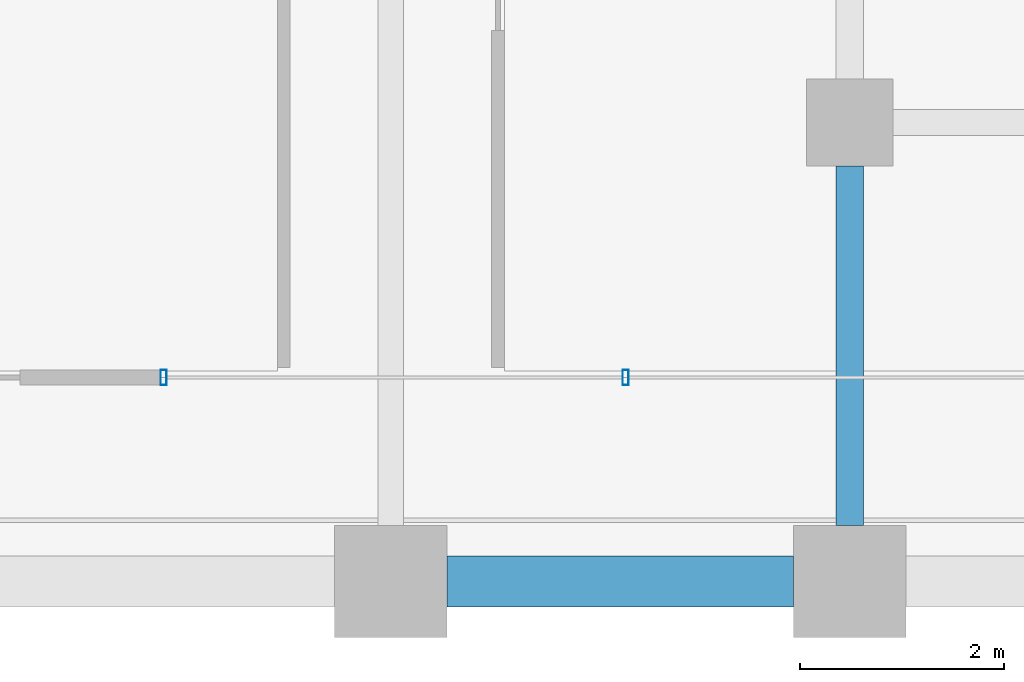
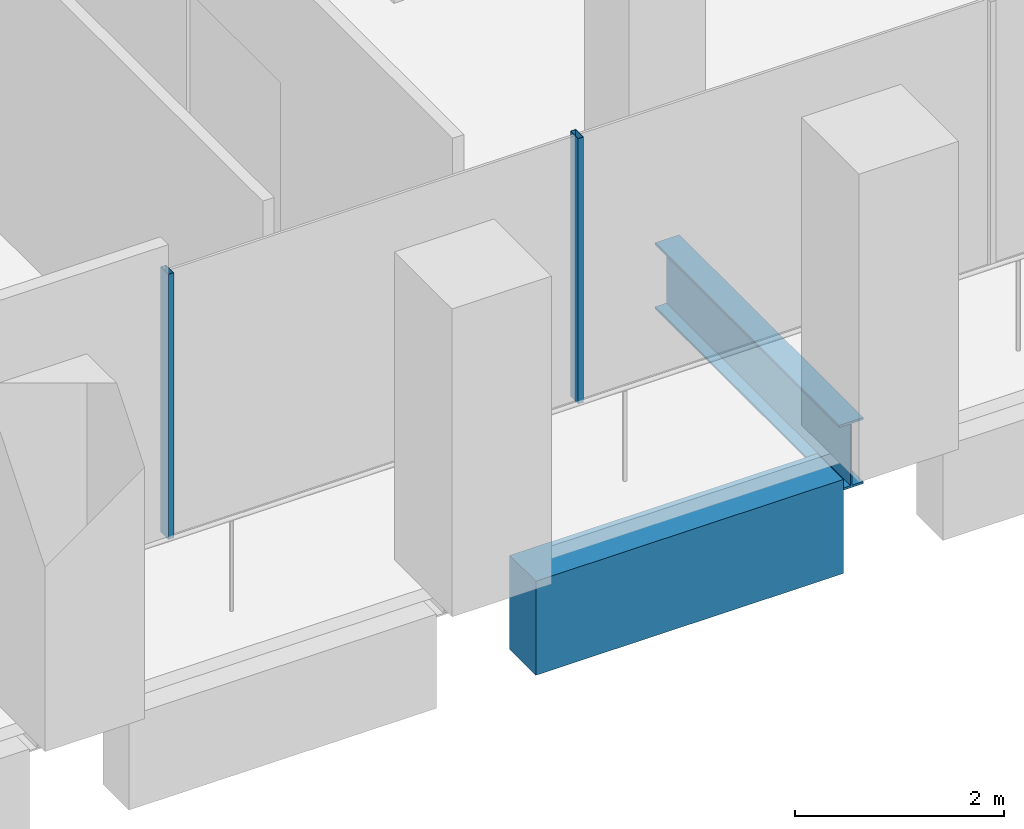
# One storey, part 9 of 54: 2 beams, 2 members, 1 element without a shape of its own.
"""IFC4 building model written with IfcOpenShell, lengths in metres."""

from ifc_helpers import new_model, si_unit, direction, frame, origin, origin_2d, place, context, subcontext, project, spatial, rectangle, hollow_rectangle, i_section, extrude, material, material_profile, profile_set, type_object, element, aggregate, save


model = new_model("IFC4")

# Units and contexts
model_context = context("Model", 3, precision=1e-05, world=origin(), true_north=direction((0.0, 1.0)))
body_context = subcontext(model_context, "Body", "Model", "MODEL_VIEW")
ifc_project = project(units=[si_unit("LENGTHUNIT", "METRE"), si_unit("AREAUNIT", "SQUARE_METRE"), si_unit("VOLUMEUNIT", "CUBIC_METRE"), si_unit("PLANEANGLEUNIT", "RADIAN"), si_unit("MASSUNIT", "GRAM", prefix="KILO")], contexts=[model_context])

# Site, building, storey
site_placement = place(None, origin())
site = spatial("IfcSite", under=ifc_project, at=site_placement, CompositionType="ELEMENT")
building_placement = place(site_placement, origin())
building = spatial("IfcBuilding", under=site, at=building_placement, Name="Altepetl Exchange Towers", CompositionType="ELEMENT")
storey_placement = place(building_placement, frame((0.0, 0.0, 58.199951171875)))
storey = spatial("IfcBuildingStorey", under=building, at=storey_placement, Name="L13", CompositionType="ELEMENT", Elevation=58.199951171875)

# Beam
ifc_material_1 = material(Name="Steel S355", Category="steel")
ifc_material_profile_1 = material_profile(ifc_material_1, i_section(OverallWidth=0.26806640625, OverallDepth=0.77392578125, WebThickness=0.015380859375, FlangeThickness=0.025390625, at=origin_2d()), Name="W30X132")
ifc_profile_set_1 = profile_set([ifc_material_profile_1], Name="Steel S355")
beam_type_1 = type_object("IfcBeamType", Name="Girder W30X132", PredefinedType="BEAM", material=ifc_profile_set_1)
beam_1_placement = place(storey_placement, frame((58.5, 31.074951171875, -0.536865234375), z_axis=(0.0, -1.0, 0.0), x_axis=(1.0, 0.0, 0.0)))
element("IfcBeam", 1, at=beam_1_placement, inside=storey, type_object=beam_type_1, Name="gd:A:L13:008", PredefinedType="BEAM", context=body_context, shape_type="SweptSolid", body=[
    extrude(i_section(OverallWidth=0.26806640625, OverallDepth=0.77392578125, WebThickness=0.015380859375, FlangeThickness=0.025390625, at=origin_2d()), origin(), (0.0, 0.0, 1.0), 3.52490234375),
])

# Curtain wall, members
ifc_material_2 = material(Name="Aluminium 6063-T6 glazing", Category="aluminium")
curtain_wall_type = type_object("IfcCurtainWallType", Name="Loggia glazing system", PredefinedType="NOTDEFINED", material=ifc_material_2)
curtain_wall_placement = place(storey_placement, origin())
curtain_wall = element("IfcCurtainWall", 2, at=curtain_wall_placement, inside=storey, type_object=curtain_wall_type, Name="CW1 run", PredefinedType="NOTDEFINED")
ifc_material_3 = material(Name="Aluminium 6063-T6", Category="aluminium")
ifc_material_profile_2 = material_profile(ifc_material_3, hollow_rectangle(XDim=0.06005859375, YDim=0.14990234375, WallThickness=0.0029296875, at=origin_2d()), Name="Mullion 60x150 aluminium")
ifc_profile_set_2 = profile_set([ifc_material_profile_2], Name="Aluminium 6063-T6")
member_type = type_object("IfcMemberType", Name="Mullion 60x150 aluminium", PredefinedType="MULLION", material=ifc_profile_set_2)
member_1_placement = place(storey_placement, frame((51.77294921875, 29.0, 0.0)))
member_1 = element("IfcMember", 3, at=member_1_placement, type_object=member_type, Name="MU1 mullion", PredefinedType="MULLION", context=body_context, shape_type="SweptSolid", body=[
    extrude(hollow_rectangle(XDim=0.06005859375, YDim=0.14990234375, WallThickness=0.0029296875, at=origin_2d()), origin(), (0.0, 0.0, 1.0), 3.10009765625),
])
member_2_placement = place(storey_placement, frame((56.303466796875, 29.0, 0.0)))
member_2 = element("IfcMember", 4, at=member_2_placement, type_object=member_type, Name="MU1 mullion", PredefinedType="MULLION", context=body_context, shape_type="SweptSolid", body=[
    extrude(hollow_rectangle(XDim=0.06005859375, YDim=0.14990234375, WallThickness=0.0029296875, at=origin_2d()), origin(), (0.0, 0.0, 1.0), 3.10009765625),
])
aggregate(curtain_wall, [member_1, member_2])

# Beam
ifc_material_4 = material(Name="Concrete C50/60 precast with cantera blanca facing", Category="concrete")
ifc_material_profile_3 = material_profile(ifc_material_4, rectangle(XDim=0.5, YDim=1.10009765625, at=origin_2d()), Name="500 x 1100")
ifc_profile_set_3 = profile_set([ifc_material_profile_3], Name="Concrete C50/60 precast with cantera blanca facing")
beam_type_2 = type_object("IfcBeamType", Name="Spandrel beam 500x1100 cantera blanca", PredefinedType="SPANDREL", material=ifc_profile_set_3)
beam_2_placement = place(storey_placement, frame((54.550048828125, 27.0, -0.699951171875), z_axis=(1.0, 0.0, 0.0), x_axis=(0.0, 1.0, 0.0)))
element("IfcBeam", 5, at=beam_2_placement, inside=storey, type_object=beam_type_2, Name="sp:A:L13:005", PredefinedType="SPANDREL", context=body_context, shape_type="SweptSolid", body=[
    extrude(rectangle(XDim=0.5, YDim=1.10009765625, at=origin_2d()), origin(), (0.0, 0.0, 1.0), 3.39990234375),
])

save(model, "model.ifc")
